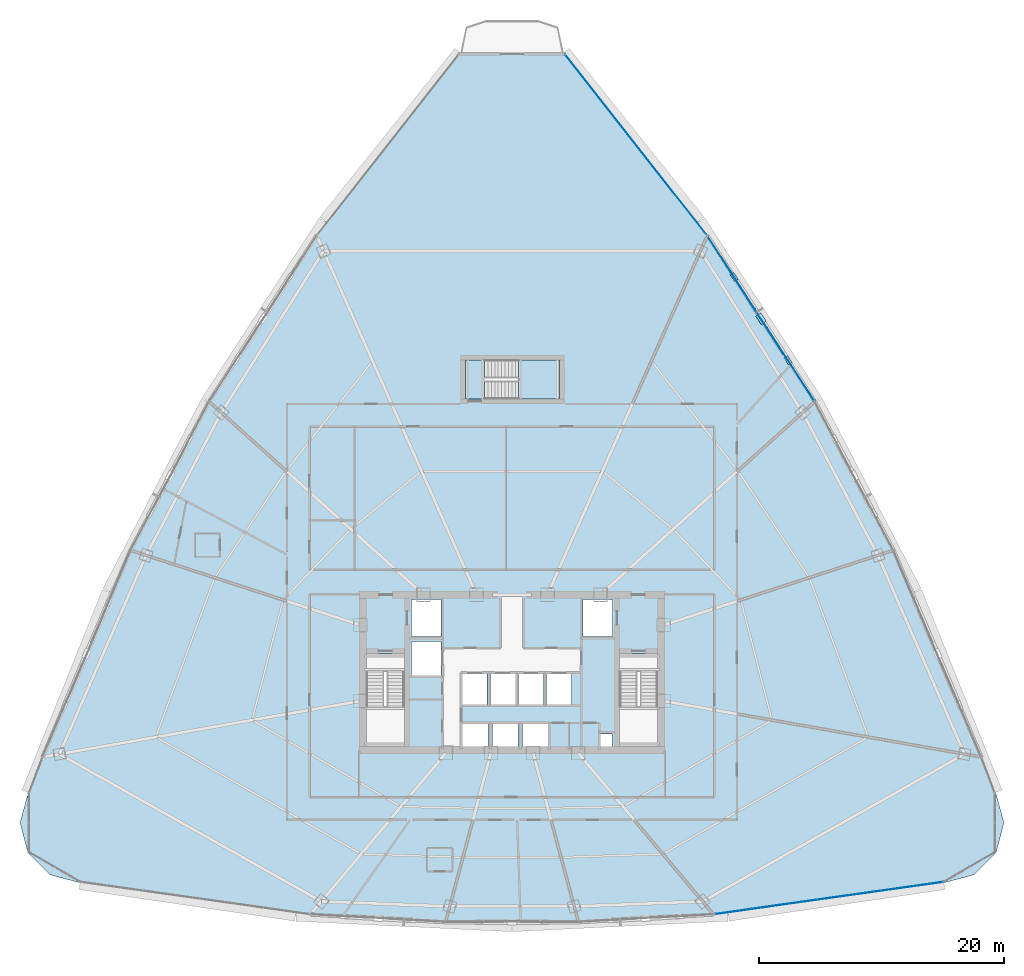
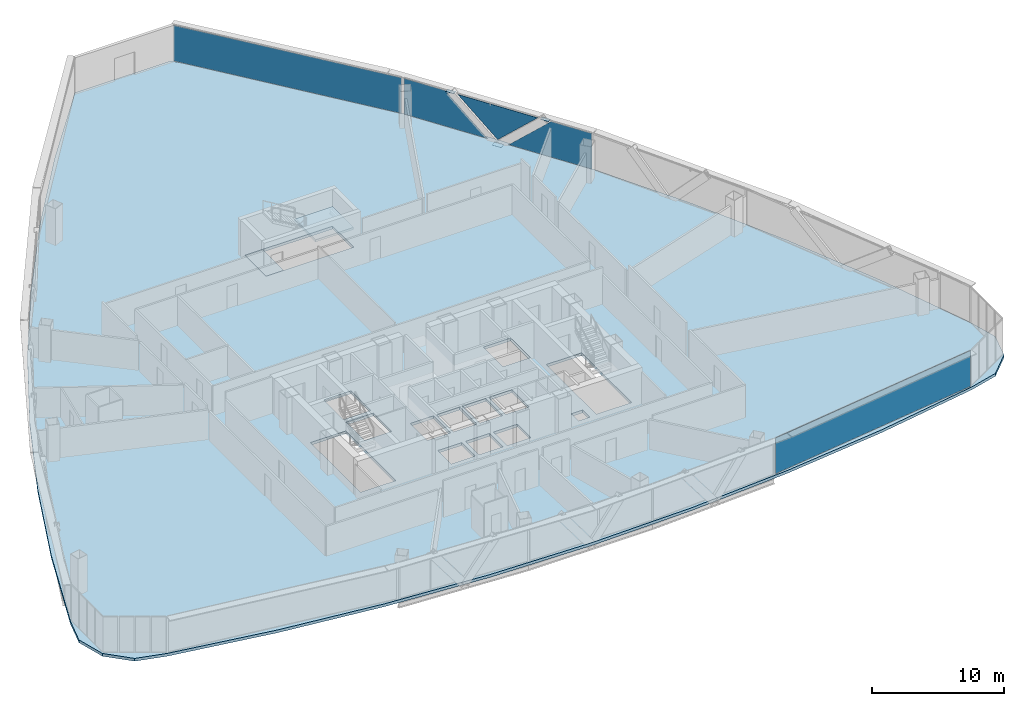
# One storey, part 32 of 42: 8 plates, 3 slabs, 4 elements without a shape of their own.
"""IFC4 building model written with IfcOpenShell, lengths in metres."""

from ifc_helpers import new_model, si_unit, direction, frame, origin, origin_2d, place, context, subcontext, project, spatial, polyline, rectangle, outline, extrude, source, transform, mapped, material, layer, layer_set, type_object, element, aggregate, save


model = new_model("IFC4")

# Units and contexts
model_context = context("Model", 3, precision=1e-05, world=origin(), true_north=direction((0.0, 1.0)))
body_context = subcontext(model_context, "Body", "Model", "MODEL_VIEW")
ifc_project = project(units=[si_unit("LENGTHUNIT", "METRE"), si_unit("AREAUNIT", "SQUARE_METRE"), si_unit("VOLUMEUNIT", "CUBIC_METRE"), si_unit("PLANEANGLEUNIT", "RADIAN"), si_unit("MASSUNIT", "GRAM", prefix="KILO"), si_unit("THERMODYNAMICTEMPERATUREUNIT", "KELVIN"), si_unit("POWERUNIT", "WATT")], contexts=[model_context])

# Site, building, storey
site_placement = place(None, origin())
site = spatial("IfcSite", under=ifc_project, at=site_placement, CompositionType="ELEMENT")
building_placement = place(site_placement, origin())
building = spatial("IfcBuilding", under=site, at=building_placement, Name="Yunzhuo Pagoda Commons", CompositionType="ELEMENT")
storey_placement = place(building_placement, frame((0.0, 0.0, 151.909912109375)))
storey = spatial("IfcBuildingStorey", under=building, at=storey_placement, Name="L38", CompositionType="ELEMENT", Elevation=151.909912109375)

# Curtain wall, plates
ifc_material_1 = material(Name="Anodized aluminium 6063-T6", Category="aluminium")
ifc_layer_1 = layer(ifc_material_1, 0.14990234375)
ifc_layer_set_1 = layer_set([ifc_layer_1], Name="Anodized aluminium 6063-T6")
curtain_wall_type = type_object("IfcCurtainWallType", Name="CW-MID Mid-Zone Ribbon Curtain Wall", PredefinedType="NOTDEFINED", material=ifc_layer_set_1)
curtain_wall_1_placement = place(storey_placement, origin())
curtain_wall_1 = element("IfcCurtainWall", 1, at=curtain_wall_1_placement, inside=storey, type_object=curtain_wall_type, Name="L38 curtain wall CW-L38-F2B4", PredefinedType="NOTDEFINED")
ifc_material_2 = material(Name="Tempered low-e double glazing", Category="glass")
ifc_layer_2 = layer(ifc_material_2, 0.028076171875)
ifc_layer_set_2 = layer_set([ifc_layer_2], Name="Tempered low-e double glazing")
plate_type_1 = type_object("IfcPlateType", Name="CW-MID-P Low-E Double Glazing 28", PredefinedType="CURTAIN_PANEL", material=ifc_layer_set_2)
plate_1_placement = place(storey_placement, frame((70.77783203125, 59.0185546875, 1.710205078125), z_axis=(0.839392571637, 0.543525630197, 0.0), x_axis=(-0.543525630197, 0.839392571637, 0.0)))
plate_1 = element("IfcPlate", 2, at=plate_1_placement, type_object=plate_type_1, Name="CW panel 1.1 lite 1", PredefinedType="CURTAIN_PANEL", context=body_context, shape_type="SweptSolid", body=[
    extrude(outline(polyline([(-3.55712890625, -1.655029296875), (3.55712890625, -1.655029296875), (-0.0791015625, 1.655029296875), (-3.55712890625, 1.655029296875), (-3.55712890625, -1.655029296875)])), origin(), (0.0, 0.0, 1.0), 0.028076171875),
])
plate_2_placement = place(storey_placement, frame((68.324462890625, 62.75244140625, 1.8095703125), z_axis=(0.839392571637, 0.543525630197, 0.0), x_axis=(-0.543525630197, 0.839392571637, 0.0)))
plate_2 = element("IfcPlate", 3, at=plate_2_placement, type_object=plate_type_1, Name="CW panel 1.1 lite 2", PredefinedType="CURTAIN_PANEL", context=body_context, shape_type="SweptSolid", body=[
    extrude(outline(polyline([(-3.41748046875, 1.5556640625), (0.0, -1.555419921875), (3.41748046875, 1.5556640625), (-3.41748046875, 1.5556640625)])), origin(), (0.0, 0.0, 1.0), 0.028076171875),
])
plate_3_placement = place(storey_placement, frame((65.92138671875, 66.518798828125, 1.710205078125), z_axis=(0.839392571637, 0.543525630197, 0.0), x_axis=(-0.543525630197, 0.839392571637, 0.0)))
plate_3 = element("IfcPlate", 4, at=plate_3_placement, type_object=plate_type_1, Name="CW panel 1.1 lite 3", PredefinedType="CURTAIN_PANEL", context=body_context, shape_type="SweptSolid", body=[
    extrude(outline(polyline([(-3.556884765625, -1.655029296875), (3.556884765625, -1.655029296875), (3.556884765625, 1.655029296875), (0.078857421875, 1.655029296875), (-3.556884765625, -1.655029296875)])), origin(), (0.0, 0.0, 1.0), 0.028076171875),
])
aggregate(curtain_wall_1, [plate_1, plate_2, plate_3])

# Stair, slabs
ifc_material_3 = material(Name="Concrete C40", Category="concrete")
stair_type = type_object("IfcStairType", Name="ST-C3 North Tower Smokeproof Stair ST3", PredefinedType="HALF_TURN_STAIR", material=ifc_material_3)
stair_placement = place(storey_placement, origin())
stair = element("IfcStair", 5, at=stair_placement, inside=storey, type_object=stair_type, Name="L38 North tower smokeproof stair ST3", PredefinedType="HALF_TURN_STAIR")
ifc_layer_3 = layer(ifc_material_3, 0.2041015625)
ifc_layer_set_3 = layer_set([ifc_layer_3], Name="Concrete C40")
slab_type_1 = type_object("IfcSlabType", Name="SL-LND5 North Landing Slab 204", PredefinedType="LANDING", material=ifc_layer_set_3)
slab_1_placement = place(storey_placement, frame((0.0, 0.0, 1.64013671875)))
slab_1 = element("IfcSlab", 6, at=slab_1_placement, type_object=slab_type_1, Name="ST3 landing 1", PredefinedType="LANDING", context=body_context, shape_type="SweptSolid", body=[
    extrude(outline(polyline([(48.550048828125, 56.199951171875), (51.89990234375, 56.199951171875), (51.89990234375, 59.39990234375), (48.550048828125, 59.39990234375), (48.550048828125, 56.199951171875)])), origin(), (0.0, 0.0, 1.0), 0.199951171875),
])
slab_2_placement = place(storey_placement, frame((0.0, 0.0, -0.199951171875)))
slab_2 = element("IfcSlab", 7, at=slab_2_placement, type_object=slab_type_1, Name="ST3 floor landing L38", PredefinedType="LANDING", context=body_context, shape_type="SweptSolid", body=[
    extrude(outline(polyline([(44.199951171875, 56.199951171875), (45.75, 56.199951171875), (45.75, 59.39990234375), (44.199951171875, 59.39990234375), (44.199951171875, 56.199951171875)])), origin(), (0.0, 0.0, 1.0), 0.199951171875),
])
aggregate(stair, [slab_1, slab_2])

# Slab
ifc_layer_4 = layer(ifc_material_3, 0.260009765625)
ifc_layer_set_4 = layer_set([ifc_layer_4], Name="Concrete C40")
slab_type_2 = type_object("IfcSlabType", Name="SL-TWR Typical Tower Floor Slab 260", PredefinedType="FLOOR", material=ifc_layer_set_4)
slab_3_placement = place(storey_placement, frame((0.0, 0.0, -0.260009765625)))
element("IfcSlab", 8, at=slab_3_placement, inside=storey, type_object=slab_type_2, Name="L38 structural floor slab", PredefinedType="FLOOR", context=body_context, shape_type="SweptSolid", body=[
    extrude(outline(polyline([(11.558837890625, 32.330810546875), (15.0478515625, 40.43994140625), (18.908203125, 48.332275390625), (23.139892578125, 56.0078125), (27.742919921875, 63.466796875), (32.717041015625, 70.708984375), (38.0625, 77.734375), (43.779296875, 84.543212890625), (52.220703125, 84.543212890625), (57.9375, 77.734375), (63.282958984375, 70.708984375), (68.257080078125, 63.466796875), (72.860107421875, 56.0078125), (77.091796875, 48.332275390625), (80.9521484375, 40.43994140625), (84.441162109375, 32.330810546875), (87.55908203125, 24.005126953125), (88.2255859375, 21.55859375), (87.57666015625, 19.107666015625), (85.786865234375, 17.3115234375), (83.338134765625, 16.65380859375), (74.503662109375, 15.149169921875), (65.669189453125, 14.074462890625), (56.834716796875, 13.4296875), (48.0, 13.214599609375), (39.165283203125, 13.4296875), (30.330810546875, 14.074462890625), (21.496337890625, 15.149169921875), (12.661865234375, 16.65380859375), (10.213134765625, 17.3115234375), (8.42333984375, 19.107666015625), (7.7744140625, 21.55859375), (8.44091796875, 24.005126953125), (11.558837890625, 32.330810546875)]), holes=[polyline([(46.050048828125, 29.64990234375), (43.949951171875, 29.64990234375), (43.949951171875, 27.60009765625), (46.050048828125, 27.60009765625), (46.050048828125, 29.64990234375)]), polyline([(48.5, 27.60009765625), (48.5, 29.64990234375), (46.39990234375, 29.64990234375), (46.39990234375, 27.60009765625), (48.5, 27.60009765625)]), polyline([(36.10009765625, 27.800048828125), (39.199951171875, 27.800048828125), (39.199951171875, 35.39990234375), (36.10009765625, 35.39990234375), (36.10009765625, 27.800048828125)]), polyline([(45.969970703125, 31.199951171875), (45.969970703125, 33.800048828125), (43.929931640625, 33.800048828125), (43.929931640625, 31.199951171875), (45.969970703125, 31.199951171875)]), polyline([(48.27001953125, 31.199951171875), (48.27001953125, 33.800048828125), (46.22998046875, 33.800048828125), (46.22998046875, 31.199951171875), (48.27001953125, 31.199951171875)]), polyline([(42.199951171875, 33.60009765625), (42.199951171875, 36.39990234375), (39.800048828125, 36.39990234375), (39.800048828125, 33.60009765625), (42.199951171875, 33.60009765625)]), polyline([(42.199951171875, 36.800048828125), (42.199951171875, 39.800048828125), (39.800048828125, 39.800048828125), (39.800048828125, 36.800048828125), (42.199951171875, 36.800048828125)]), polyline([(56.179931640625, 28.800048828125), (55.179931640625, 28.800048828125), (55.179931640625, 27.699951171875), (56.179931640625, 27.699951171875), (56.179931640625, 28.800048828125)]), polyline([(50.949951171875, 27.60009765625), (50.949951171875, 29.64990234375), (48.85009765625, 29.64990234375), (48.85009765625, 27.60009765625), (50.949951171875, 27.60009765625)]), polyline([(56.800048828125, 27.800048828125), (59.89990234375, 27.800048828125), (59.89990234375, 35.39990234375), (56.800048828125, 35.39990234375), (56.800048828125, 27.800048828125)]), polyline([(50.570068359375, 31.199951171875), (50.570068359375, 33.800048828125), (48.530029296875, 33.800048828125), (48.530029296875, 31.199951171875), (50.570068359375, 31.199951171875)]), polyline([(52.8701171875, 31.199951171875), (52.8701171875, 33.800048828125), (50.830078125, 33.800048828125), (50.830078125, 31.199951171875), (52.8701171875, 31.199951171875)]), polyline([(56.199951171875, 36.800048828125), (56.199951171875, 39.800048828125), (53.800048828125, 39.800048828125), (53.800048828125, 36.800048828125), (56.199951171875, 36.800048828125)]), polyline([(51.89990234375, 56.199951171875), (51.89990234375, 59.39990234375), (44.199951171875, 59.39990234375), (44.199951171875, 56.199951171875), (51.89990234375, 56.199951171875)])]), origin(), (0.0, 0.0, 1.0), 0.260009765625),
])

# Plates
ifc_material_4 = material(Name="Structural steel Q355B", Category="steel")
ifc_layer_5 = layer(ifc_material_4, 0.028076171875)
ifc_layer_set_5 = layer_set([ifc_layer_5], Name="Structural steel Q355B")
plate_type_2 = type_object("IfcPlateType", Name="SP-ND1 Lattice Node Cap Plate 800x500x28", PredefinedType="USERDEFINED", material=ifc_layer_set_5)
shared_shape_1 = source(origin(), body_context, "Body", "SweptSolid", [
    extrude(rectangle(XDim=0.800048828125, YDim=0.5, at=origin_2d()), origin(), (0.0, 0.0, 1.0), 0.028076171875),
])
plate_4_placement = place(storey_placement, frame((68.361083984375, 62.7763671875, -0.27392578125), z_axis=(0.0, 0.0, 1.0), x_axis=(-0.543526101434, 0.8393922665, 0.0)))
element("IfcPlate", 9, at=plate_4_placement, inside=storey, type_object=plate_type_2, Name="L38 diamond node plate F2.3A", ObjectType="STIFFENER_PLATE", PredefinedType="USERDEFINED", context=body_context, shape_type="MappedRepresentation", body=[
    mapped(shared_shape_1, transform((0.0, 0.0, 0.0), scale=1.0)),
])
shared_shape_2 = source(origin(), body_context, "Body", "SweptSolid", [
    extrude(rectangle(XDim=0.699951171875, YDim=0.35009765625, at=origin_2d()), origin(), (0.0, 0.0, 1.0), 0.035888671875),
])
for number, where, z_axis, x_axis, name in (
    (10, (70.558349609375, 59.383056640625, 3.38232421875), (0.0, 0.0, 1.0), (-0.543526101434, 0.8393922665, 0.0), "L38 setback lattice tie plate F2.3L"),
    (11, (66.1640625, 66.16943359375, 3.38232421875), (0.0, 0.0, 1.0), (-0.543526101434, 0.8393922665, 0.0), "L38 setback lattice tie plate F2.3R"),
):
    element("IfcPlate", number, at=place(storey_placement, frame(where, z_axis=z_axis, x_axis=x_axis)), inside=storey, type_object=plate_type_2, Name=name, ObjectType="STIFFENER_PLATE", PredefinedType="USERDEFINED", context=body_context, shape_type="MappedRepresentation", body=[
        mapped(shared_shape_2, transform((0.0, 0.0, 0.0), scale=1.0)),
    ])

# Curtain wall, plate
curtain_wall_2_placement = place(storey_placement, origin())
curtain_wall_2 = element("IfcCurtainWall", 12, at=curtain_wall_2_placement, inside=storey, type_object=curtain_wall_type, Name="L38 curtain wall CW-L38-F1B5", PredefinedType="NOTDEFINED")
shared_shape_3 = source(origin(), body_context, "Body", "SweptSolid", [
    extrude(rectangle(XDim=18.81640625, YDim=0.028076171875, at=origin_2d()), origin(), (0.0, 0.0, 1.0), 3.31005859375),
])
plate_5_placement = place(storey_placement, frame((73.922607421875, 15.401123046875, 0.05517578125), z_axis=(0.0, 0.0, 1.0), x_axis=(0.990203780714, 0.13962976996, 0.0)))
plate_5 = element("IfcPlate", 13, at=plate_5_placement, type_object=plate_type_1, Name="CW panel 1.1", PredefinedType="CURTAIN_PANEL", context=body_context, shape_type="MappedRepresentation", body=[
    mapped(shared_shape_3, transform((0.0, 0.0, 0.0), scale=1.0)),
])
aggregate(curtain_wall_2, [plate_5])

curtain_wall_3_placement = place(storey_placement, origin())
curtain_wall_3 = element("IfcCurtainWall", 14, at=curtain_wall_3_placement, inside=storey, type_object=curtain_wall_type, Name="L38 curtain wall CW-L38-F2B5", PredefinedType="NOTDEFINED")
shared_shape_4 = source(origin(), body_context, "Body", "SweptSolid", [
    extrude(rectangle(XDim=18.6806640625, YDim=0.028076171875, at=origin_2d()), origin(), (0.0, 0.0, 1.0), 3.31005859375),
])
plate_6_placement = place(storey_placement, frame((58.1181640625, 77.017333984375, 0.05517578125), z_axis=(0.0, 0.0, 1.0), x_axis=(-0.61725996734, 0.786759259697, 0.0)))
plate_6 = element("IfcPlate", 15, at=plate_6_placement, type_object=plate_type_1, Name="CW panel 1.1", PredefinedType="CURTAIN_PANEL", context=body_context, shape_type="MappedRepresentation", body=[
    mapped(shared_shape_4, transform((0.0, 0.0, 0.0), scale=1.0)),
])
aggregate(curtain_wall_3, [plate_6])

save(model, "model.ifc")
